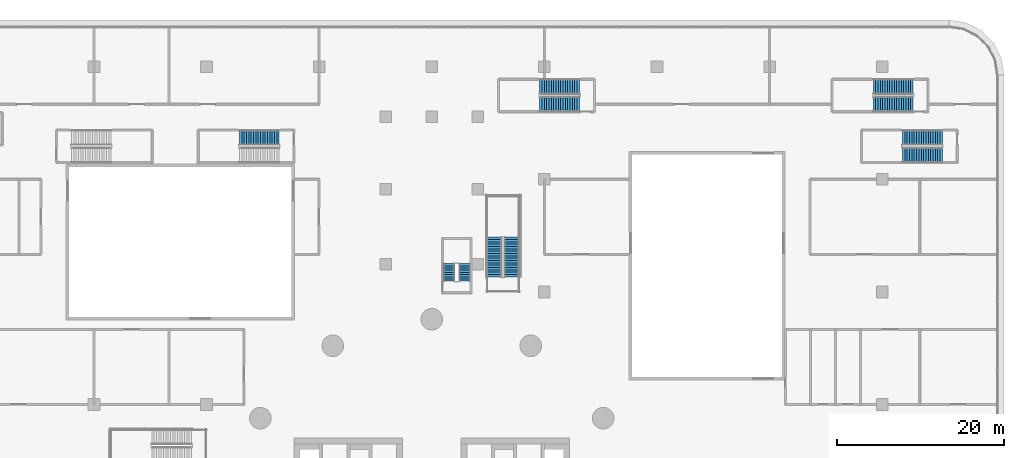
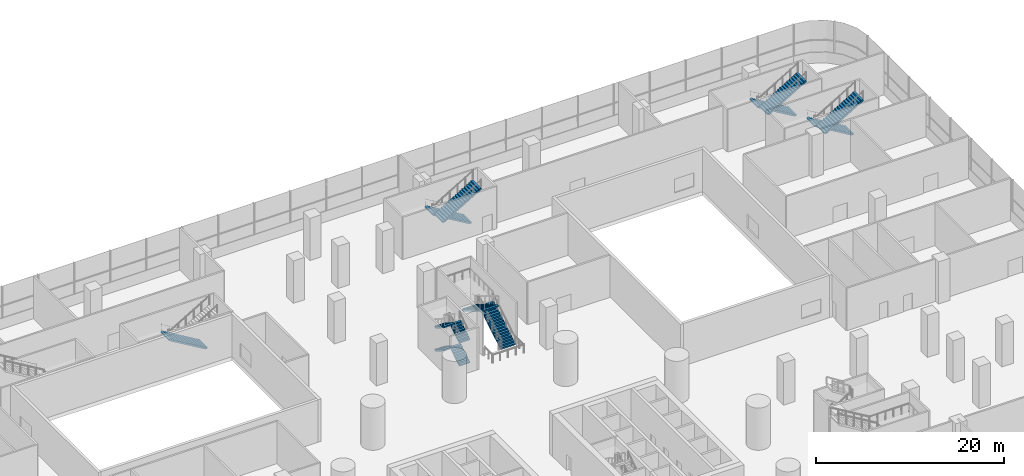
# One storey, part 38 of 52: 13 stair flights, 6 elements without a shape of their own.
"""IFC4 building model written with IfcOpenShell, lengths in metres."""

from ifc_helpers import new_model, si_unit, direction, frame, origin, place, context, subcontext, project, spatial, polyline, outline, extrude, material, type_object, element, aggregate, save


model = new_model("IFC4")

# Units and contexts
model_context = context("Model", 3, precision=1e-05, world=origin(), true_north=direction((0.0, 1.0)))
body_context = subcontext(model_context, "Body", "Model", "MODEL_VIEW")
ifc_project = project(units=[si_unit("LENGTHUNIT", "METRE"), si_unit("AREAUNIT", "SQUARE_METRE"), si_unit("VOLUMEUNIT", "CUBIC_METRE"), si_unit("PLANEANGLEUNIT", "RADIAN"), si_unit("MASSUNIT", "GRAM", prefix="KILO")], contexts=[model_context])

# Site, building, storey
site_placement = place(None, origin())
site = spatial("IfcSite", under=ifc_project, at=site_placement, CompositionType="ELEMENT")
building_placement = place(site_placement, origin())
building = spatial("IfcBuilding", under=site, at=building_placement, Name="Tamarind Cross Interchange Tower", CompositionType="ELEMENT")
storey_placement = place(building_placement, frame((0.0, 0.0, 9.0)))
storey = spatial("IfcBuildingStorey", under=building, at=storey_placement, Name="L01", CompositionType="ELEMENT", Elevation=9.0)

# Stair, stair flights
ifc_material_1 = material(Name="Exit stair")
stair_type_1 = type_object("IfcStairType", Name="Exit stair", PredefinedType="HALF_TURN_STAIR", material=ifc_material_1)
stair_1_placement = place(storey_placement, origin())
stair_1 = element("IfcStair", 1, at=stair_1_placement, inside=storey, type_object=stair_type_1, Name="L01 exit stair ST4", PredefinedType="HALF_TURN_STAIR")
ifc_material_2 = material(Name="Exit stair flight")
stair_flight_type_1 = type_object("IfcStairFlightType", Name="Exit stair flight", PredefinedType="STRAIGHT", material=ifc_material_2)
stair_flight_1_placement = place(storey_placement, frame((3.949951171875, 28.300048828125, 0.0), z_axis=(0.0, 0.0, 1.0), x_axis=(0.0, 1.0, 0.0)))
stair_flight_1 = element("IfcStairFlight", 2, at=stair_flight_1_placement, type_object=stair_flight_type_1, Name="ST4 flight 1", NumberOfRisers=9, NumberOfTreads=8, PredefinedType="STRAIGHT", RiserHeight=0.166666667, TreadLength=0.26, context=body_context, shape_type="SweptSolid", body=[
    extrude(outline(polyline([(0.0, 0.0), (0.0, 0.166748046875), (0.260009765625, 0.166748046875), (0.260009765625, 0.333251953125), (0.52001953125, 0.333251953125), (0.52001953125, 0.5), (0.780029296875, 0.5), (0.780029296875, 0.666748046875), (1.0400390625, 0.666748046875), (1.0400390625, 0.833251953125), (1.300048828125, 0.833251953125), (1.300048828125, 1.0), (1.56005859375, 1.0), (1.56005859375, 1.166748046875), (1.820068359375, 1.166748046875), (1.820068359375, 1.333251953125), (2.080078125, 1.333251953125), (2.080078125, 1.5), (2.080078125, 1.1552734375), (0.27783203125, 0.0), (0.0, 0.0)])), frame((0.0, 0.64990234375, 0.0), z_axis=(0.0, -1.0, 0.0), x_axis=(1.0, 0.0, 0.0)), (0.0, 0.0, 1.0), 1.300048828125),
])
stair_flight_2_placement = place(storey_placement, frame((2.050048828125, 30.3798828125, 1.5), z_axis=(0.0, 0.0, 1.0), x_axis=(0.0, -1.0, 0.0)))
stair_flight_2 = element("IfcStairFlight", 3, at=stair_flight_2_placement, type_object=stair_flight_type_1, Name="ST4 flight 2", NumberOfRisers=9, NumberOfTreads=8, PredefinedType="STRAIGHT", RiserHeight=0.166666667, TreadLength=0.26, context=body_context, shape_type="SweptSolid", body=[
    extrude(outline(polyline([(0.0, 0.0), (0.0, 0.166748046875), (0.260009765625, 0.166748046875), (0.260009765625, 0.333251953125), (0.52001953125, 0.333251953125), (0.52001953125, 0.5), (0.780029296875, 0.5), (0.780029296875, 0.666748046875), (1.0400390625, 0.666748046875), (1.0400390625, 0.833251953125), (1.300048828125, 0.833251953125), (1.300048828125, 1.0), (1.56005859375, 1.0), (1.56005859375, 1.166748046875), (1.820068359375, 1.166748046875), (1.820068359375, 1.333251953125), (2.080078125, 1.333251953125), (2.080078125, 1.5), (2.080078125, 1.1552734375), (0.27783203125, 0.0), (0.0, 0.0)])), frame((0.0, 0.64990234375, 0.0), z_axis=(0.0, -1.0, 0.0), x_axis=(1.0, 0.0, 0.0)), (0.0, 0.0, 1.0), 1.300048828125),
])
stair_flight_3_placement = place(storey_placement, frame((3.949951171875, 28.300048828125, 3.0), z_axis=(0.0, 0.0, 1.0), x_axis=(0.0, 1.0, 0.0)))
stair_flight_3 = element("IfcStairFlight", 4, at=stair_flight_3_placement, type_object=stair_flight_type_1, Name="ST4 flight 3", NumberOfRisers=9, NumberOfTreads=8, PredefinedType="STRAIGHT", RiserHeight=0.166666667, TreadLength=0.26, context=body_context, shape_type="SweptSolid", body=[
    extrude(outline(polyline([(0.0, 0.0), (0.0, 0.166748046875), (0.260009765625, 0.166748046875), (0.260009765625, 0.333251953125), (0.52001953125, 0.333251953125), (0.52001953125, 0.5), (0.780029296875, 0.5), (0.780029296875, 0.666748046875), (1.0400390625, 0.666748046875), (1.0400390625, 0.833251953125), (1.300048828125, 0.833251953125), (1.300048828125, 1.0), (1.56005859375, 1.0), (1.56005859375, 1.166748046875), (1.820068359375, 1.166748046875), (1.820068359375, 1.333251953125), (2.080078125, 1.333251953125), (2.080078125, 1.5), (2.080078125, 1.1552734375), (0.27783203125, 0.0), (0.0, 0.0)])), frame((0.0, 0.64990234375, 0.0), z_axis=(0.0, -1.0, 0.0), x_axis=(1.0, 0.0, 0.0)), (0.0, 0.0, 1.0), 1.300048828125),
])
stair_flight_4_placement = place(storey_placement, frame((2.050048828125, 30.3798828125, 4.5), z_axis=(0.0, 0.0, 1.0), x_axis=(0.0, -1.0, 0.0)))
stair_flight_4 = element("IfcStairFlight", 5, at=stair_flight_4_placement, type_object=stair_flight_type_1, Name="ST4 flight 4", NumberOfRisers=9, NumberOfTreads=8, PredefinedType="STRAIGHT", RiserHeight=0.166666667, TreadLength=0.26, context=body_context, shape_type="SweptSolid", body=[
    extrude(outline(polyline([(0.0, 0.0), (0.0, 0.166748046875), (0.260009765625, 0.166748046875), (0.260009765625, 0.333251953125), (0.52001953125, 0.333251953125), (0.52001953125, 0.5), (0.780029296875, 0.5), (0.780029296875, 0.666748046875), (1.0400390625, 0.666748046875), (1.0400390625, 0.833251953125), (1.300048828125, 0.833251953125), (1.300048828125, 1.0), (1.56005859375, 1.0), (1.56005859375, 1.166748046875), (1.820068359375, 1.166748046875), (1.820068359375, 1.333251953125), (2.080078125, 1.333251953125), (2.080078125, 1.5), (2.080078125, 1.1552734375), (0.27783203125, 0.0), (0.0, 0.0)])), frame((0.0, 0.64990234375, 0.0), z_axis=(0.0, -1.0, 0.0), x_axis=(1.0, 0.0, 0.0)), (0.0, 0.0, 1.0), 1.300048828125),
])
aggregate(stair_1, [stair_flight_1, stair_flight_2, stair_flight_3, stair_flight_4])

ifc_material_3 = material(Name="Public stair")
stair_type_2 = type_object("IfcStairType", Name="Public stair", PredefinedType="HALF_TURN_STAIR", material=ifc_material_3)
stair_2_placement = place(storey_placement, origin())
stair_2 = element("IfcStair", 6, at=stair_2_placement, inside=storey, type_object=stair_type_2, Name="L01 public stair PS-N", PredefinedType="HALF_TURN_STAIR")
ifc_material_4 = material(Name="Public stair flight")
stair_flight_type_2 = type_object("IfcStairFlightType", Name="Public stair flight", PredefinedType="STRAIGHT", material=ifc_material_4)
stair_flight_5_placement = place(storey_placement, frame((9.60009765625, 28.800048828125, 0.0), z_axis=(0.0, 0.0, 1.0), x_axis=(0.0, 1.0, 0.0)))
stair_flight_5 = element("IfcStairFlight", 7, at=stair_flight_5_placement, type_object=stair_flight_type_2, Name="PS-N flight 1", NumberOfRisers=18, NumberOfTreads=17, PredefinedType="STRAIGHT", RiserHeight=0.166666667, TreadLength=0.28, context=body_context, shape_type="SweptSolid", body=[
    extrude(outline(polyline([(0.0, 0.0), (0.0, 0.166748046875), (0.280029296875, 0.166748046875), (0.280029296875, 0.333251953125), (0.56005859375, 0.333251953125), (0.56005859375, 0.5), (0.840087890625, 0.5), (0.840087890625, 0.666748046875), (1.1201171875, 0.666748046875), (1.1201171875, 0.833251953125), (1.39990234375, 0.833251953125), (1.39990234375, 1.0), (1.679931640625, 1.0), (1.679931640625, 1.166748046875), (1.9599609375, 1.166748046875), (1.9599609375, 1.333251953125), (2.239990234375, 1.333251953125), (2.239990234375, 1.5), (2.52001953125, 1.5), (2.52001953125, 1.666748046875), (2.800048828125, 1.666748046875), (2.800048828125, 1.833251953125), (3.080078125, 1.833251953125), (3.080078125, 2.0), (3.360107421875, 2.0), (3.360107421875, 2.166748046875), (3.639892578125, 2.166748046875), (3.639892578125, 2.333251953125), (3.919921875, 2.333251953125), (3.919921875, 2.5), (4.199951171875, 2.5), (4.199951171875, 2.666748046875), (4.47998046875, 2.666748046875), (4.47998046875, 2.833251953125), (4.760009765625, 2.833251953125), (4.760009765625, 3.0), (4.760009765625, 2.658935546875), (0.29296875, 0.0), (0.0, 0.0)])), frame((0.0, 0.89990234375, 0.0), z_axis=(0.0, -1.0, 0.0), x_axis=(1.0, 0.0, 0.0)), (0.0, 0.0, 1.0), 1.800048828125),
])
stair_flight_6_placement = place(storey_placement, frame((7.5, 33.56005859375, 3.0), z_axis=(0.0, 0.0, 1.0), x_axis=(0.0, -1.0, 0.0)))
stair_flight_6 = element("IfcStairFlight", 8, at=stair_flight_6_placement, type_object=stair_flight_type_2, Name="PS-N flight 2", NumberOfRisers=18, NumberOfTreads=17, PredefinedType="STRAIGHT", RiserHeight=0.166666667, TreadLength=0.28, context=body_context, shape_type="SweptSolid", body=[
    extrude(outline(polyline([(0.0, 0.0), (0.0, 0.166748046875), (0.280029296875, 0.166748046875), (0.280029296875, 0.333251953125), (0.56005859375, 0.333251953125), (0.56005859375, 0.5), (0.840087890625, 0.5), (0.840087890625, 0.666748046875), (1.1201171875, 0.666748046875), (1.1201171875, 0.833251953125), (1.39990234375, 0.833251953125), (1.39990234375, 1.0), (1.679931640625, 1.0), (1.679931640625, 1.166748046875), (1.9599609375, 1.166748046875), (1.9599609375, 1.333251953125), (2.239990234375, 1.333251953125), (2.239990234375, 1.5), (2.52001953125, 1.5), (2.52001953125, 1.666748046875), (2.800048828125, 1.666748046875), (2.800048828125, 1.833251953125), (3.080078125, 1.833251953125), (3.080078125, 2.0), (3.360107421875, 2.0), (3.360107421875, 2.166748046875), (3.639892578125, 2.166748046875), (3.639892578125, 2.333251953125), (3.919921875, 2.333251953125), (3.919921875, 2.5), (4.199951171875, 2.5), (4.199951171875, 2.666748046875), (4.47998046875, 2.666748046875), (4.47998046875, 2.833251953125), (4.760009765625, 2.833251953125), (4.760009765625, 3.0), (4.760009765625, 2.658935546875), (0.29296875, 0.0), (0.0, 0.0)])), frame((0.0, 0.89990234375, 0.0), z_axis=(0.0, -1.0, 0.0), x_axis=(1.0, 0.0, 0.0)), (0.0, 0.0, 1.0), 1.800048828125),
])
aggregate(stair_2, [stair_flight_5, stair_flight_6])

stair_3_placement = place(storey_placement, origin())
stair_3 = element("IfcStair", 9, at=stair_3_placement, inside=storey, type_object=stair_type_2, Name="L01 exit stair XS-P01", PredefinedType="HALF_TURN_STAIR")
stair_flight_7_placement = place(storey_placement, frame((57.699951171875, 51.60009765625, 0.0), z_axis=(0.0, 0.0, 1.0), x_axis=(-1.0, 0.0, 0.0)))
stair_flight_7 = element("IfcStairFlight", 10, at=stair_flight_7_placement, type_object=stair_flight_type_2, Name="XS-P01 flight 1", NumberOfRisers=18, NumberOfTreads=17, PredefinedType="STRAIGHT", RiserHeight=0.166666667, TreadLength=0.28, context=body_context, shape_type="SweptSolid", body=[
    extrude(outline(polyline([(0.0, 0.0), (0.0, 0.166748046875), (0.280029296875, 0.166748046875), (0.280029296875, 0.333251953125), (0.56005859375, 0.333251953125), (0.56005859375, 0.5), (0.840087890625, 0.5), (0.840087890625, 0.666748046875), (1.1201171875, 0.666748046875), (1.1201171875, 0.833251953125), (1.39990234375, 0.833251953125), (1.39990234375, 1.0), (1.679931640625, 1.0), (1.679931640625, 1.166748046875), (1.9599609375, 1.166748046875), (1.9599609375, 1.333251953125), (2.239990234375, 1.333251953125), (2.239990234375, 1.5), (2.52001953125, 1.5), (2.52001953125, 1.666748046875), (2.800048828125, 1.666748046875), (2.800048828125, 1.833251953125), (3.080078125, 1.833251953125), (3.080078125, 2.0), (3.360107421875, 2.0), (3.360107421875, 2.166748046875), (3.639892578125, 2.166748046875), (3.639892578125, 2.333251953125), (3.919921875, 2.333251953125), (3.919921875, 2.5), (4.199951171875, 2.5), (4.199951171875, 2.666748046875), (4.47998046875, 2.666748046875), (4.47998046875, 2.833251953125), (4.760009765625, 2.833251953125), (4.760009765625, 3.0), (4.760009765625, 2.658935546875), (0.29296875, 0.0), (0.0, 0.0)])), frame((0.0, 0.89990234375, 0.0), z_axis=(0.0, -1.0, 0.0), x_axis=(1.0, 0.0, 0.0)), (0.0, 0.0, 1.0), 1.800048828125),
])
stair_flight_8_placement = place(storey_placement, frame((52.93994140625, 49.5, 3.0), z_axis=(0.0, 0.0, 1.0), x_axis=(1.0, 0.0, 0.0)))
stair_flight_8 = element("IfcStairFlight", 11, at=stair_flight_8_placement, type_object=stair_flight_type_2, Name="XS-P01 flight 2", NumberOfRisers=18, NumberOfTreads=17, PredefinedType="STRAIGHT", RiserHeight=0.166666667, TreadLength=0.28, context=body_context, shape_type="SweptSolid", body=[
    extrude(outline(polyline([(0.0, 0.0), (0.0, 0.166748046875), (0.280029296875, 0.166748046875), (0.280029296875, 0.333251953125), (0.56005859375, 0.333251953125), (0.56005859375, 0.5), (0.840087890625, 0.5), (0.840087890625, 0.666748046875), (1.1201171875, 0.666748046875), (1.1201171875, 0.833251953125), (1.39990234375, 0.833251953125), (1.39990234375, 1.0), (1.679931640625, 1.0), (1.679931640625, 1.166748046875), (1.9599609375, 1.166748046875), (1.9599609375, 1.333251953125), (2.239990234375, 1.333251953125), (2.239990234375, 1.5), (2.52001953125, 1.5), (2.52001953125, 1.666748046875), (2.800048828125, 1.666748046875), (2.800048828125, 1.833251953125), (3.080078125, 1.833251953125), (3.080078125, 2.0), (3.360107421875, 2.0), (3.360107421875, 2.166748046875), (3.639892578125, 2.166748046875), (3.639892578125, 2.333251953125), (3.919921875, 2.333251953125), (3.919921875, 2.5), (4.199951171875, 2.5), (4.199951171875, 2.666748046875), (4.47998046875, 2.666748046875), (4.47998046875, 2.833251953125), (4.760009765625, 2.833251953125), (4.760009765625, 3.0), (4.760009765625, 2.658935546875), (0.29296875, 0.0), (0.0, 0.0)])), frame((0.0, 0.89990234375, 0.0), z_axis=(0.0, -1.0, 0.0), x_axis=(1.0, 0.0, 0.0)), (0.0, 0.0, 1.0), 1.800048828125),
])
aggregate(stair_3, [stair_flight_7, stair_flight_8])

stair_4_placement = place(storey_placement, origin())
stair_4 = element("IfcStair", 12, at=stair_4_placement, inside=storey, type_object=stair_type_2, Name="L01 exit stair XS-P02", PredefinedType="HALF_TURN_STAIR")
stair_flight_9_placement = place(storey_placement, frame((61.199951171875, 45.5, 0.0), z_axis=(0.0, 0.0, 1.0), x_axis=(-1.0, 0.0, 0.0)))
stair_flight_9 = element("IfcStairFlight", 13, at=stair_flight_9_placement, type_object=stair_flight_type_2, Name="XS-P02 flight 1", NumberOfRisers=18, NumberOfTreads=17, PredefinedType="STRAIGHT", RiserHeight=0.166666667, TreadLength=0.28, context=body_context, shape_type="SweptSolid", body=[
    extrude(outline(polyline([(0.0, 0.0), (0.0, 0.166748046875), (0.280029296875, 0.166748046875), (0.280029296875, 0.333251953125), (0.56005859375, 0.333251953125), (0.56005859375, 0.5), (0.840087890625, 0.5), (0.840087890625, 0.666748046875), (1.1201171875, 0.666748046875), (1.1201171875, 0.833251953125), (1.39990234375, 0.833251953125), (1.39990234375, 1.0), (1.679931640625, 1.0), (1.679931640625, 1.166748046875), (1.9599609375, 1.166748046875), (1.9599609375, 1.333251953125), (2.239990234375, 1.333251953125), (2.239990234375, 1.5), (2.52001953125, 1.5), (2.52001953125, 1.666748046875), (2.800048828125, 1.666748046875), (2.800048828125, 1.833251953125), (3.080078125, 1.833251953125), (3.080078125, 2.0), (3.360107421875, 2.0), (3.360107421875, 2.166748046875), (3.639892578125, 2.166748046875), (3.639892578125, 2.333251953125), (3.919921875, 2.333251953125), (3.919921875, 2.5), (4.199951171875, 2.5), (4.199951171875, 2.666748046875), (4.47998046875, 2.666748046875), (4.47998046875, 2.833251953125), (4.760009765625, 2.833251953125), (4.760009765625, 3.0), (4.760009765625, 2.658935546875), (0.29296875, 0.0), (0.0, 0.0)])), frame((0.0, 0.89990234375, 0.0), z_axis=(0.0, -1.0, 0.0), x_axis=(1.0, 0.0, 0.0)), (0.0, 0.0, 1.0), 1.800048828125),
])
stair_flight_10_placement = place(storey_placement, frame((56.43994140625, 43.39990234375, 3.0), z_axis=(0.0, 0.0, 1.0), x_axis=(1.0, 0.0, 0.0)))
stair_flight_10 = element("IfcStairFlight", 14, at=stair_flight_10_placement, type_object=stair_flight_type_2, Name="XS-P02 flight 2", NumberOfRisers=18, NumberOfTreads=17, PredefinedType="STRAIGHT", RiserHeight=0.166666667, TreadLength=0.28, context=body_context, shape_type="SweptSolid", body=[
    extrude(outline(polyline([(0.0, 0.0), (0.0, 0.166748046875), (0.280029296875, 0.166748046875), (0.280029296875, 0.333251953125), (0.56005859375, 0.333251953125), (0.56005859375, 0.5), (0.840087890625, 0.5), (0.840087890625, 0.666748046875), (1.1201171875, 0.666748046875), (1.1201171875, 0.833251953125), (1.39990234375, 0.833251953125), (1.39990234375, 1.0), (1.679931640625, 1.0), (1.679931640625, 1.166748046875), (1.9599609375, 1.166748046875), (1.9599609375, 1.333251953125), (2.239990234375, 1.333251953125), (2.239990234375, 1.5), (2.52001953125, 1.5), (2.52001953125, 1.666748046875), (2.800048828125, 1.666748046875), (2.800048828125, 1.833251953125), (3.080078125, 1.833251953125), (3.080078125, 2.0), (3.360107421875, 2.0), (3.360107421875, 2.166748046875), (3.639892578125, 2.166748046875), (3.639892578125, 2.333251953125), (3.919921875, 2.333251953125), (3.919921875, 2.5), (4.199951171875, 2.5), (4.199951171875, 2.666748046875), (4.47998046875, 2.666748046875), (4.47998046875, 2.833251953125), (4.760009765625, 2.833251953125), (4.760009765625, 3.0), (4.760009765625, 2.658935546875), (0.29296875, 0.0), (0.0, 0.0)])), frame((0.0, 0.89990234375, 0.0), z_axis=(0.0, -1.0, 0.0), x_axis=(1.0, 0.0, 0.0)), (0.0, 0.0, 1.0), 1.800048828125),
])
aggregate(stair_4, [stair_flight_9, stair_flight_10])

stair_5_placement = place(storey_placement, origin())
stair_5 = element("IfcStair", 15, at=stair_5_placement, inside=storey, type_object=stair_type_2, Name="L01 exit stair XS-P03", PredefinedType="HALF_TURN_STAIR")
stair_flight_11_placement = place(storey_placement, frame((17.699951171875, 51.60009765625, 0.0), z_axis=(0.0, 0.0, 1.0), x_axis=(-1.0, 0.0, 0.0)))
stair_flight_11 = element("IfcStairFlight", 16, at=stair_flight_11_placement, type_object=stair_flight_type_2, Name="XS-P03 flight 1", NumberOfRisers=18, NumberOfTreads=17, PredefinedType="STRAIGHT", RiserHeight=0.166666667, TreadLength=0.28, context=body_context, shape_type="SweptSolid", body=[
    extrude(outline(polyline([(0.0, 0.0), (0.0, 0.166748046875), (0.280029296875, 0.166748046875), (0.280029296875, 0.333251953125), (0.56005859375, 0.333251953125), (0.56005859375, 0.5), (0.840087890625, 0.5), (0.840087890625, 0.666748046875), (1.1201171875, 0.666748046875), (1.1201171875, 0.833251953125), (1.39990234375, 0.833251953125), (1.39990234375, 1.0), (1.679931640625, 1.0), (1.679931640625, 1.166748046875), (1.9599609375, 1.166748046875), (1.9599609375, 1.333251953125), (2.239990234375, 1.333251953125), (2.239990234375, 1.5), (2.52001953125, 1.5), (2.52001953125, 1.666748046875), (2.800048828125, 1.666748046875), (2.800048828125, 1.833251953125), (3.080078125, 1.833251953125), (3.080078125, 2.0), (3.360107421875, 2.0), (3.360107421875, 2.166748046875), (3.639892578125, 2.166748046875), (3.639892578125, 2.333251953125), (3.919921875, 2.333251953125), (3.919921875, 2.5), (4.199951171875, 2.5), (4.199951171875, 2.666748046875), (4.47998046875, 2.666748046875), (4.47998046875, 2.833251953125), (4.760009765625, 2.833251953125), (4.760009765625, 3.0), (4.760009765625, 2.658935546875), (0.29296875, 0.0), (0.0, 0.0)])), frame((0.0, 0.89990234375, 0.0), z_axis=(0.0, -1.0, 0.0), x_axis=(1.0, 0.0, 0.0)), (0.0, 0.0, 1.0), 1.800048828125),
])
stair_flight_12_placement = place(storey_placement, frame((12.93994140625, 49.5, 3.0), z_axis=(0.0, 0.0, 1.0), x_axis=(1.0, 0.0, 0.0)))
stair_flight_12 = element("IfcStairFlight", 17, at=stair_flight_12_placement, type_object=stair_flight_type_2, Name="XS-P03 flight 2", NumberOfRisers=18, NumberOfTreads=17, PredefinedType="STRAIGHT", RiserHeight=0.166666667, TreadLength=0.28, context=body_context, shape_type="SweptSolid", body=[
    extrude(outline(polyline([(0.0, 0.0), (0.0, 0.166748046875), (0.280029296875, 0.166748046875), (0.280029296875, 0.333251953125), (0.56005859375, 0.333251953125), (0.56005859375, 0.5), (0.840087890625, 0.5), (0.840087890625, 0.666748046875), (1.1201171875, 0.666748046875), (1.1201171875, 0.833251953125), (1.39990234375, 0.833251953125), (1.39990234375, 1.0), (1.679931640625, 1.0), (1.679931640625, 1.166748046875), (1.9599609375, 1.166748046875), (1.9599609375, 1.333251953125), (2.239990234375, 1.333251953125), (2.239990234375, 1.5), (2.52001953125, 1.5), (2.52001953125, 1.666748046875), (2.800048828125, 1.666748046875), (2.800048828125, 1.833251953125), (3.080078125, 1.833251953125), (3.080078125, 2.0), (3.360107421875, 2.0), (3.360107421875, 2.166748046875), (3.639892578125, 2.166748046875), (3.639892578125, 2.333251953125), (3.919921875, 2.333251953125), (3.919921875, 2.5), (4.199951171875, 2.5), (4.199951171875, 2.666748046875), (4.47998046875, 2.666748046875), (4.47998046875, 2.833251953125), (4.760009765625, 2.833251953125), (4.760009765625, 3.0), (4.760009765625, 2.658935546875), (0.29296875, 0.0), (0.0, 0.0)])), frame((0.0, 0.89990234375, 0.0), z_axis=(0.0, -1.0, 0.0), x_axis=(1.0, 0.0, 0.0)), (0.0, 0.0, 1.0), 1.800048828125),
])
aggregate(stair_5, [stair_flight_11, stair_flight_12])

# Stair, stair flight
stair_6_placement = place(storey_placement, origin())
stair_6 = element("IfcStair", 18, at=stair_6_placement, inside=storey, type_object=stair_type_2, Name="L01 exit stair XS-P06", PredefinedType="HALF_TURN_STAIR")
stair_flight_13_placement = place(storey_placement, frame((-18.300048828125, 45.5, 0.0), z_axis=(0.0, 0.0, 1.0), x_axis=(-1.0, 0.0, 0.0)))
stair_flight_13 = element("IfcStairFlight", 19, at=stair_flight_13_placement, type_object=stair_flight_type_2, Name="XS-P06 flight 1", NumberOfRisers=18, NumberOfTreads=17, PredefinedType="STRAIGHT", RiserHeight=0.166666667, TreadLength=0.28, context=body_context, shape_type="SweptSolid", body=[
    extrude(outline(polyline([(0.0, 0.0), (0.0, 0.166748046875), (0.280029296875, 0.166748046875), (0.280029296875, 0.333251953125), (0.56005859375, 0.333251953125), (0.56005859375, 0.5), (0.840087890625, 0.5), (0.840087890625, 0.666748046875), (1.1201171875, 0.666748046875), (1.1201171875, 0.833251953125), (1.39990234375, 0.833251953125), (1.39990234375, 1.0), (1.679931640625, 1.0), (1.679931640625, 1.166748046875), (1.9599609375, 1.166748046875), (1.9599609375, 1.333251953125), (2.239990234375, 1.333251953125), (2.239990234375, 1.5), (2.52001953125, 1.5), (2.52001953125, 1.666748046875), (2.800048828125, 1.666748046875), (2.800048828125, 1.833251953125), (3.080078125, 1.833251953125), (3.080078125, 2.0), (3.360107421875, 2.0), (3.360107421875, 2.166748046875), (3.639892578125, 2.166748046875), (3.639892578125, 2.333251953125), (3.919921875, 2.333251953125), (3.919921875, 2.5), (4.199951171875, 2.5), (4.199951171875, 2.666748046875), (4.47998046875, 2.666748046875), (4.47998046875, 2.833251953125), (4.760009765625, 2.833251953125), (4.760009765625, 3.0), (4.760009765625, 2.658935546875), (0.29296875, 0.0), (0.0, 0.0)])), frame((0.0, 0.89990234375, 0.0), z_axis=(0.0, -1.0, 0.0), x_axis=(1.0, 0.0, 0.0)), (0.0, 0.0, 1.0), 1.800048828125),
])
aggregate(stair_6, [stair_flight_13])

save(model, "model.ifc")
